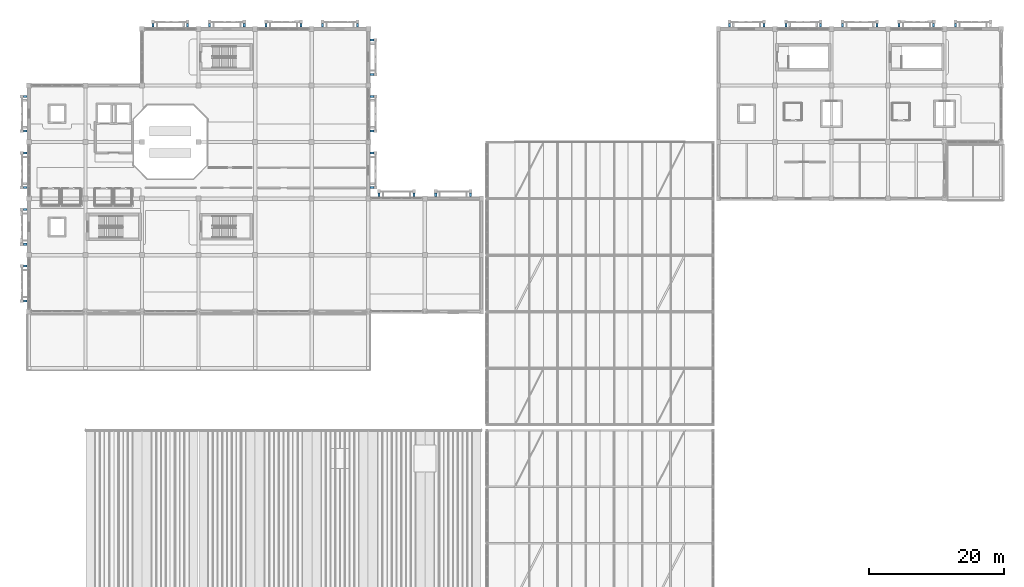
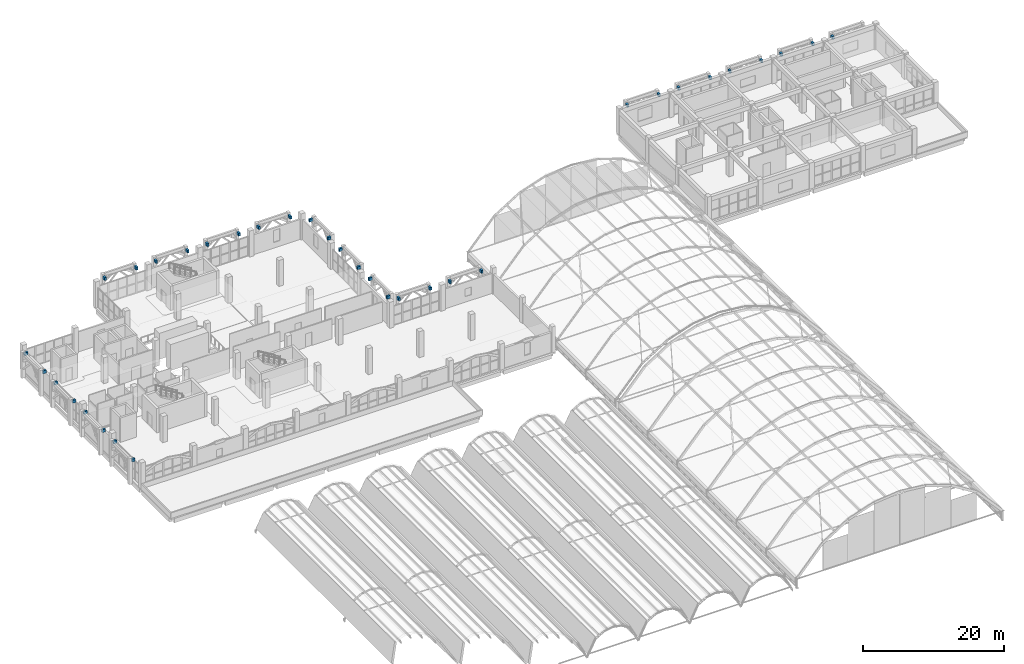
# One storey, part 85 of 114: 35 beams.
"""IFC4 building model written with IfcOpenShell, lengths in metres."""

from ifc_helpers import new_model, si_unit, direction, frame, origin, origin_2d, place, context, subcontext, project, spatial, rectangle, extrude, material, material_profile, profile_set, type_object, element, save


model = new_model("IFC4")

# Units and contexts
model_context = context("Model", 3, precision=1e-05, world=origin(), true_north=direction((0.0, 1.0)))
body_context = subcontext(model_context, "Body", "Model", "MODEL_VIEW")
ifc_project = project(units=[si_unit("LENGTHUNIT", "METRE"), si_unit("AREAUNIT", "SQUARE_METRE"), si_unit("VOLUMEUNIT", "CUBIC_METRE"), si_unit("PLANEANGLEUNIT", "RADIAN"), si_unit("MASSUNIT", "GRAM", prefix="KILO")], contexts=[model_context])

# Site, building, storey
site_placement = place(None, origin())
site = spatial("IfcSite", under=ifc_project, at=site_placement, CompositionType="ELEMENT")
building_placement = place(site_placement, origin())
building = spatial("IfcBuilding", under=site, at=building_placement, Name="Xazarin Passage Department Store", CompositionType="ELEMENT")
storey_placement = place(building_placement, frame((0.0, 0.0, 14.39990234375)))
storey = spatial("IfcBuildingStorey", under=building, at=storey_placement, Name="L03", CompositionType="ELEMENT", Elevation=14.39990234375)

# Beams
ifc_material = material(Name="Concrete C35/45", Category="concrete")
ifc_material_profile = material_profile(ifc_material, rectangle(XDim=0.300048828125, YDim=0.5, at=origin_2d()), Name="RC 300x500")
ifc_profile_set = profile_set([ifc_material_profile], Name="Concrete C35/45")
beam_type = type_object("IfcBeamType", Name="STR-BM-LN300x500", PredefinedType="LINTEL", material=ifc_profile_set)
for number, where, z_axis, x_axis, name in (
    (1, (18.419921875, 110.280029296875, 3.9501953125), (0.0, 1.0, 0.0), (-1.0, 0.0, 0.0), "L03 V1 Colonnade Tie Rib 001L"),
    (2, (23.580078125, 110.280029296875, 3.9501953125), (0.0, 1.0, 0.0), (-1.0, 0.0, 0.0), "L03 V1 Colonnade Tie Rib 001R"),
    (3, (26.820068359375, 110.280029296875, 3.9501953125), (0.0, 1.0, 0.0), (-1.0, 0.0, 0.0), "L03 V1 Colonnade Tie Rib 002L"),
    (4, (31.97998046875, 110.280029296875, 3.9501953125), (0.0, 1.0, 0.0), (-1.0, 0.0, 0.0), "L03 V1 Colonnade Tie Rib 002R"),
    (5, (35.219970703125, 110.280029296875, 3.9501953125), (0.0, 1.0, 0.0), (-1.0, 0.0, 0.0), "L03 V1 Colonnade Tie Rib 003L"),
    (6, (40.3798828125, 110.280029296875, 3.9501953125), (0.0, 1.0, 0.0), (-1.0, 0.0, 0.0), "L03 V1 Colonnade Tie Rib 003R"),
    (7, (43.6201171875, 110.280029296875, 3.9501953125), (0.0, 1.0, 0.0), (-1.0, 0.0, 0.0), "L03 V1 Colonnade Tie Rib 004L"),
    (8, (48.780029296875, 110.280029296875, 3.9501953125), (0.0, 1.0, 0.0), (-1.0, 0.0, 0.0), "L03 V1 Colonnade Tie Rib 004R"),
):
    element("IfcBeam", number, at=place(storey_placement, frame(where, z_axis=z_axis, x_axis=x_axis)), inside=storey, type_object=beam_type, Name=name, PredefinedType="LINTEL", context=body_context, shape_type="SweptSolid", body=[
        extrude(rectangle(XDim=0.300048828125, YDim=0.5, at=origin_2d()), origin(), (0.0, 0.0, 1.0), 0.550048828125),
    ])
for number, where, z_axis, x_axis, name in (
    (9, (52.02001953125, 85.080078125, 3.9501953125), (0.0, 1.0, 0.0), (-1.0, 0.0, 0.0), "L03 V1 Colonnade Tie Rib 005L"),
    (10, (57.179931640625, 85.080078125, 3.9501953125), (0.0, 1.0, 0.0), (-1.0, 0.0, 0.0), "L03 V1 Colonnade Tie Rib 005R"),
    (11, (60.419921875, 85.080078125, 3.9501953125), (0.0, 1.0, 0.0), (-1.0, 0.0, 0.0), "L03 V1 Colonnade Tie Rib 007L"),
    (12, (65.580078125, 85.080078125, 3.9501953125), (0.0, 1.0, 0.0), (-1.0, 0.0, 0.0), "L03 V1 Colonnade Tie Rib 007R"),
):
    element("IfcBeam", number, at=place(storey_placement, frame(where, z_axis=z_axis, x_axis=x_axis)), inside=storey, type_object=beam_type, Name=name, PredefinedType="LINTEL", context=body_context, shape_type="SweptSolid", body=[
        extrude(rectangle(XDim=0.300048828125, YDim=0.5, at=origin_2d()), origin(), (0.0, 0.0, 1.0), 0.5498046875),
    ])
for number, where, z_axis, x_axis, name in (
    (13, (-0.280029296875, 69.6201171875, 3.9501953125), (-1.0, 0.0, 0.0), (0.0, -1.0, 0.0), "L03 V1 Colonnade Tie Rib 010L"),
    (14, (-0.280029296875, 74.780029296875, 3.9501953125), (-1.0, 0.0, 0.0), (0.0, -1.0, 0.0), "L03 V1 Colonnade Tie Rib 010R"),
    (15, (-0.280029296875, 78.02001953125, 3.9501953125), (-1.0, 0.0, 0.0), (0.0, -1.0, 0.0), "L03 V1 Colonnade Tie Rib 011L"),
    (16, (-0.280029296875, 83.179931640625, 3.9501953125), (-1.0, 0.0, 0.0), (0.0, -1.0, 0.0), "L03 V1 Colonnade Tie Rib 011R"),
    (17, (-0.280029296875, 86.419921875, 3.9501953125), (-1.0, 0.0, 0.0), (0.0, -1.0, 0.0), "L03 V1 Colonnade Tie Rib 012L"),
    (18, (-0.280029296875, 91.580078125, 3.9501953125), (-1.0, 0.0, 0.0), (0.0, -1.0, 0.0), "L03 V1 Colonnade Tie Rib 012R"),
    (19, (-0.280029296875, 94.820068359375, 3.9501953125), (-1.0, 0.0, 0.0), (0.0, -1.0, 0.0), "L03 V1 Colonnade Tie Rib 013L"),
    (20, (-0.280029296875, 99.97998046875, 3.9501953125), (-1.0, 0.0, 0.0), (0.0, -1.0, 0.0), "L03 V1 Colonnade Tie Rib 013R"),
    (21, (50.679931640625, 86.419921875, 3.9501953125), (1.0, 0.0, 0.0), (0.0, 1.0, 0.0), "L03 V1 Colonnade Tie Rib 014L"),
    (22, (50.679931640625, 91.580078125, 3.9501953125), (1.0, 0.0, 0.0), (0.0, 1.0, 0.0), "L03 V1 Colonnade Tie Rib 014R"),
    (23, (50.679931640625, 94.820068359375, 3.9501953125), (1.0, 0.0, 0.0), (0.0, 1.0, 0.0), "L03 V1 Colonnade Tie Rib 015L"),
    (24, (50.679931640625, 99.97998046875, 3.9501953125), (1.0, 0.0, 0.0), (0.0, 1.0, 0.0), "L03 V1 Colonnade Tie Rib 015R"),
    (25, (50.679931640625, 103.219970703125, 3.9501953125), (1.0, 0.0, 0.0), (0.0, 1.0, 0.0), "L03 V1 Colonnade Tie Rib 016L"),
    (26, (50.679931640625, 108.3798828125, 3.9501953125), (1.0, 0.0, 0.0), (0.0, 1.0, 0.0), "L03 V1 Colonnade Tie Rib 016R"),
    (27, (104.02001953125, 110.280029296875, 3.9501953125), (0.0, 1.0, 0.0), (-1.0, 0.0, 0.0), "L03 V4 Colonnade Tie Rib 040L"),
    (28, (109.179931640625, 110.280029296875, 3.9501953125), (0.0, 1.0, 0.0), (-1.0, 0.0, 0.0), "L03 V4 Colonnade Tie Rib 040R"),
    (29, (112.419921875, 110.280029296875, 3.9501953125), (0.0, 1.0, 0.0), (-1.0, 0.0, 0.0), "L03 V4 Colonnade Tie Rib 041L"),
    (30, (117.580078125, 110.280029296875, 3.9501953125), (0.0, 1.0, 0.0), (-1.0, 0.0, 0.0), "L03 V4 Colonnade Tie Rib 041R"),
    (31, (120.820068359375, 110.280029296875, 3.9501953125), (0.0, 1.0, 0.0), (-1.0, 0.0, 0.0), "L03 V4 Colonnade Tie Rib 042L"),
    (32, (125.97998046875, 110.280029296875, 3.9501953125), (0.0, 1.0, 0.0), (-1.0, 0.0, 0.0), "L03 V4 Colonnade Tie Rib 042R"),
    (33, (129.219970703125, 110.280029296875, 3.9501953125), (0.0, 1.0, 0.0), (-1.0, 0.0, 0.0), "L03 V4 Colonnade Tie Rib 043L"),
    (34, (134.3798828125, 110.280029296875, 3.9501953125), (0.0, 1.0, 0.0), (-1.0, 0.0, 0.0), "L03 V4 Colonnade Tie Rib 043R"),
    (35, (137.6201171875, 110.280029296875, 3.9501953125), (0.0, 1.0, 0.0), (-1.0, 0.0, 0.0), "L03 V4 Colonnade Tie Rib 044L"),
):
    element("IfcBeam", number, at=place(storey_placement, frame(where, z_axis=z_axis, x_axis=x_axis)), inside=storey, type_object=beam_type, Name=name, PredefinedType="LINTEL", context=body_context, shape_type="SweptSolid", body=[
        extrude(rectangle(XDim=0.300048828125, YDim=0.5, at=origin_2d()), origin(), (0.0, 0.0, 1.0), 0.550048828125),
    ])

save(model, "model.ifc")
